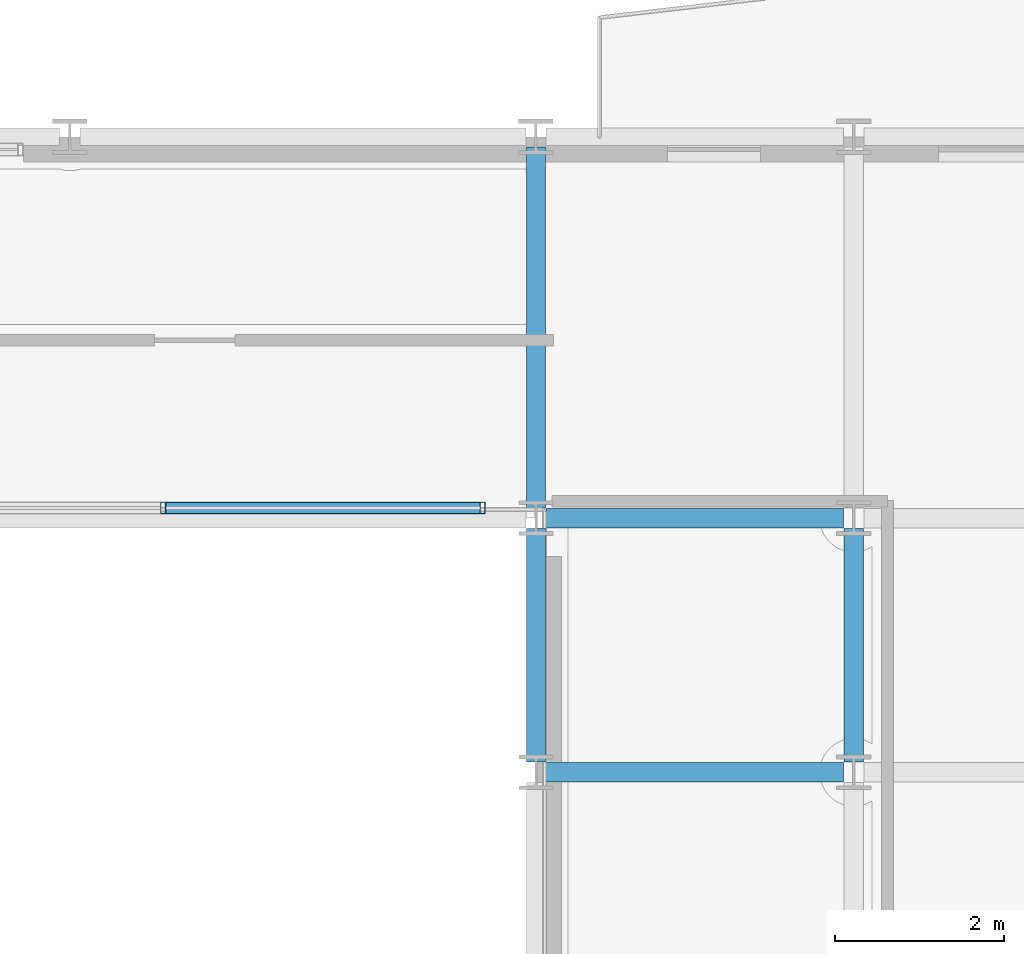
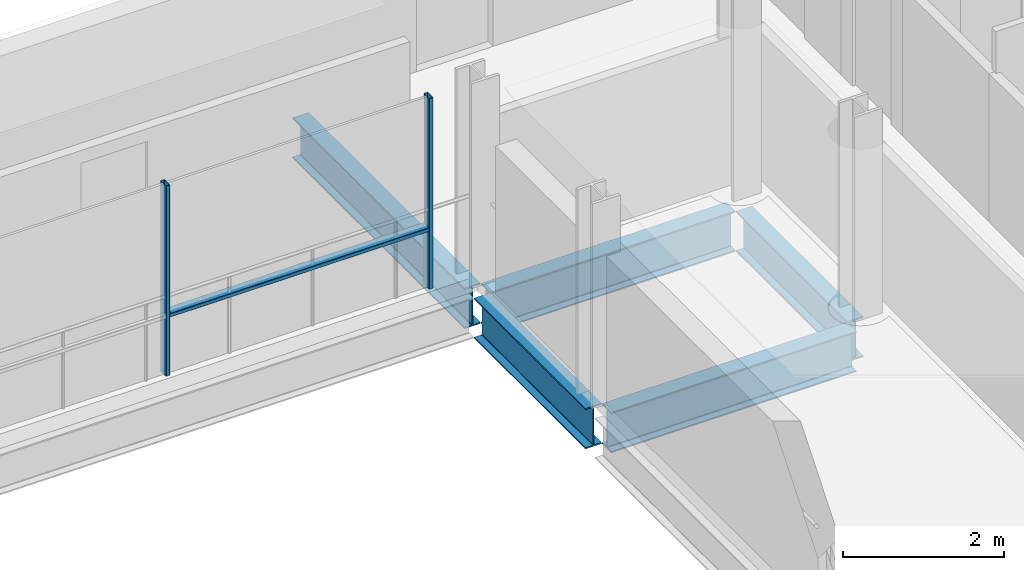
# One storey, part 19 of 41: 5 beams, 3 members, 1 element without a shape of its own.
"""IFC4 building model written with IfcOpenShell, lengths in metres."""

from ifc_helpers import new_model, si_unit, direction, frame, origin, origin_2d, place, context, subcontext, project, spatial, hollow_rectangle, i_section, extrude, material, layer, layer_set, material_profile, profile_set, type_object, element, aggregate, save


model = new_model("IFC4")

# Units and contexts
model_context = context("Model", 3, precision=1e-05, world=origin(), true_north=direction((0.0, 1.0)))
body_context = subcontext(model_context, "Body", "Model", "MODEL_VIEW")
ifc_project = project(units=[si_unit("LENGTHUNIT", "METRE"), si_unit("AREAUNIT", "SQUARE_METRE"), si_unit("VOLUMEUNIT", "CUBIC_METRE"), si_unit("PLANEANGLEUNIT", "RADIAN"), si_unit("MASSUNIT", "GRAM", prefix="KILO")], contexts=[model_context])

# Site, building, storey
site_placement = place(None, origin())
site = spatial("IfcSite", under=ifc_project, at=site_placement, CompositionType="ELEMENT")
building_placement = place(site_placement, origin())
building = spatial("IfcBuilding", under=site, at=building_placement, Name="Brevholm Reach", CompositionType="ELEMENT")
storey_placement = place(building_placement, frame((0.0, 0.0, 163.5)))
storey = spatial("IfcBuildingStorey", under=building, at=storey_placement, Name="L49", CompositionType="ELEMENT", Elevation=163.5)

# Beams
ifc_material_1 = material(Name="Structural Steel S355J2", Category="steel")
ifc_material_profile_1 = material_profile(ifc_material_1, i_section(OverallWidth=0.22900390625, OverallDepth=0.6123046875, WebThickness=0.011962890625, FlangeThickness=0.01953125, FilletRadius=0.0126953125, at=origin_2d()), Name="UKB 610x229x125")
ifc_profile_set_1 = profile_set([ifc_material_profile_1], Name="Structural Steel S355J2")
beam_type = type_object("IfcBeamType", Name="BM-SP610", PredefinedType="SPANDREL", material=ifc_profile_set_1)
for number, where, z_axis, x_axis, name in (
    (1, (38.3701171875, 23.5, -0.526123046875), (1.0, 0.0, 0.0), (0.0, 1.0, 0.0), "L49 SP-01 Framing Beam"),
    (2, (38.3701171875, 26.5, -0.526123046875), (1.0, 0.0, 0.0), (0.0, 1.0, 0.0), "L49 SP-01 Framing Beam"),
):
    element("IfcBeam", number, at=place(storey_placement, frame(where, z_axis=z_axis, x_axis=x_axis)), inside=storey, type_object=beam_type, Name=name, PredefinedType="SPANDREL", context=body_context, shape_type="SweptSolid", body=[
        extrude(i_section(OverallWidth=0.22900390625, OverallDepth=0.6123046875, WebThickness=0.011962890625, FlangeThickness=0.01953125, FilletRadius=0.0126953125, at=origin_2d()), origin(), (0.0, 0.0, 1.0), 3.509765625),
    ])
beam_1_placement = place(storey_placement, frame((38.25, 23.6201171875, -0.526123046875), z_axis=(0.0, 1.0, 0.0), x_axis=(-1.0, 0.0, 0.0)))
element("IfcBeam", 3, at=beam_1_placement, inside=storey, type_object=beam_type, Name="L49 SP-01 Framing Beam", PredefinedType="SPANDREL", context=body_context, shape_type="SweptSolid", body=[
    extrude(i_section(OverallWidth=0.22900390625, OverallDepth=0.6123046875, WebThickness=0.011962890625, FlangeThickness=0.01953125, FilletRadius=0.0126953125, at=origin_2d()), origin(), (0.0, 0.0, 1.0), 2.759765625),
])
beam_2_placement = place(storey_placement, frame((38.25, 26.6201171875, -0.526123046875), z_axis=(0.0, 1.0, 0.0), x_axis=(-1.0, 0.0, 0.0)))
element("IfcBeam", 4, at=beam_2_placement, inside=storey, type_object=beam_type, Name="L49 SP-01 Framing Beam", PredefinedType="SPANDREL", context=body_context, shape_type="SweptSolid", body=[
    extrude(i_section(OverallWidth=0.22900390625, OverallDepth=0.6123046875, WebThickness=0.011962890625, FlangeThickness=0.01953125, FilletRadius=0.0126953125, at=origin_2d()), origin(), (0.0, 0.0, 1.0), 4.259765625),
])
beam_3_placement = place(storey_placement, frame((42.0, 23.6201171875, -0.526123046875), z_axis=(0.0, 1.0, 0.0), x_axis=(-1.0, 0.0, 0.0)))
element("IfcBeam", 5, at=beam_3_placement, inside=storey, type_object=beam_type, Name="L49 SP-01 Framing Beam", PredefinedType="SPANDREL", context=body_context, shape_type="SweptSolid", body=[
    extrude(i_section(OverallWidth=0.22900390625, OverallDepth=0.6123046875, WebThickness=0.011962890625, FlangeThickness=0.01953125, FilletRadius=0.0126953125, at=origin_2d()), origin(), (0.0, 0.0, 1.0), 2.759765625),
])

# Curtain wall, members
ifc_material_2 = material(Name="Dark Anodised Aluminium 6063-T6 and Solar-Control Glass", Category="aluminium")
ifc_layer = layer(ifc_material_2, 0.139892578125)
ifc_layer_set = layer_set([ifc_layer], Name="Dark Anodised Aluminium 6063-T6 and Solar-Control Glass")
curtain_wall_type = type_object("IfcCurtainWallType", Name="CW-02", PredefinedType="NOTDEFINED", material=ifc_layer_set)
curtain_wall_placement = place(storey_placement, origin())
curtain_wall = element("IfcCurtainWall", 6, at=curtain_wall_placement, inside=storey, type_object=curtain_wall_type, Name="L49 Curtain Wall CW-02", PredefinedType="NOTDEFINED")
ifc_material_3 = material(Name="Dark Anodised Aluminium 6063-T6", Category="aluminium")
ifc_material_profile_2 = material_profile(ifc_material_3, hollow_rectangle(XDim=0.06005859375, YDim=0.139892578125, WallThickness=0.0048828125, InnerFilletRadius=0.0048828125, OuterFilletRadius=0.010009765625, at=origin_2d()), Name="RHS 140x60x5")
ifc_profile_set_2 = profile_set([ifc_material_profile_2], Name="Dark Anodised Aluminium 6063-T6")
member_type_1 = type_object("IfcMemberType", Name="CWM-140", PredefinedType="MULLION", material=ifc_profile_set_2)
member_1_placement = place(storey_placement, frame((37.6201171875, 26.6201171875, 0.0), z_axis=(0.0, 0.0, 1.0), x_axis=(-1.0, 0.0, 0.0)))
member_1 = element("IfcMember", 7, at=member_1_placement, type_object=member_type_1, Name="CM-140 Mullion 1", PredefinedType="MULLION", context=body_context, shape_type="SweptSolid", body=[
    extrude(hollow_rectangle(XDim=0.06005859375, YDim=0.139892578125, WallThickness=0.0048828125, InnerFilletRadius=0.0048828125, OuterFilletRadius=0.010009765625, at=origin_2d()), origin(), (0.0, 0.0, 1.0), 2.8798828125),
])
member_2_placement = place(storey_placement, frame((33.85009765625, 26.6201171875, 0.0), z_axis=(0.0, 0.0, 1.0), x_axis=(-1.0, 0.0, 0.0)))
member_2 = element("IfcMember", 8, at=member_2_placement, type_object=member_type_1, Name="CM-140 Mullion 2", PredefinedType="MULLION", context=body_context, shape_type="SweptSolid", body=[
    extrude(hollow_rectangle(XDim=0.06005859375, YDim=0.139892578125, WallThickness=0.0048828125, InnerFilletRadius=0.0048828125, OuterFilletRadius=0.010009765625, at=origin_2d()), origin(), (0.0, 0.0, 1.0), 2.8798828125),
])
ifc_material_4 = material(Name="Dark Anodised Aluminium 6063-T6", Category="aluminium")
ifc_material_profile_3 = material_profile(ifc_material_4, hollow_rectangle(XDim=0.06005859375, YDim=0.139892578125, WallThickness=0.0048828125, InnerFilletRadius=0.0048828125, OuterFilletRadius=0.010009765625, at=origin_2d()), Name="RHS 140x60x5")
ifc_profile_set_3 = profile_set([ifc_material_profile_3], Name="Dark Anodised Aluminium 6063-T6")
member_type_2 = type_object("IfcMemberType", Name="CWT-140", PredefinedType="NOTDEFINED", material=ifc_profile_set_3)
member_3_placement = place(storey_placement, frame((37.590087890625, 26.6201171875, 0.89990234375), z_axis=(-1.0, 0.0, 0.0), x_axis=(0.0, 0.0, 1.0)))
member_3 = element("IfcMember", 9, at=member_3_placement, type_object=member_type_2, Name="CT-140 Transom 1.1", ObjectType="TRANSOM", PredefinedType="USERDEFINED", context=body_context, shape_type="SweptSolid", body=[
    extrude(hollow_rectangle(XDim=0.06005859375, YDim=0.139892578125, WallThickness=0.0048828125, InnerFilletRadius=0.0048828125, OuterFilletRadius=0.010009765625, at=origin_2d()), origin(), (0.0, 0.0, 1.0), 3.710205078125),
])
aggregate(curtain_wall, [member_1, member_2, member_3])

save(model, "model.ifc")
